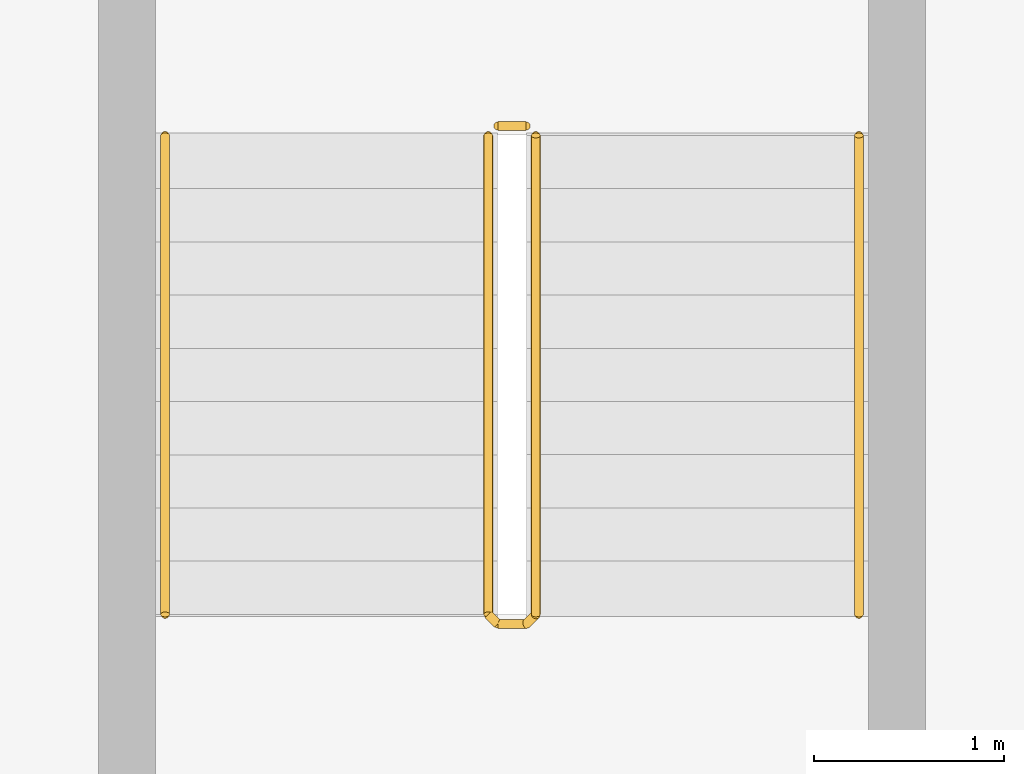
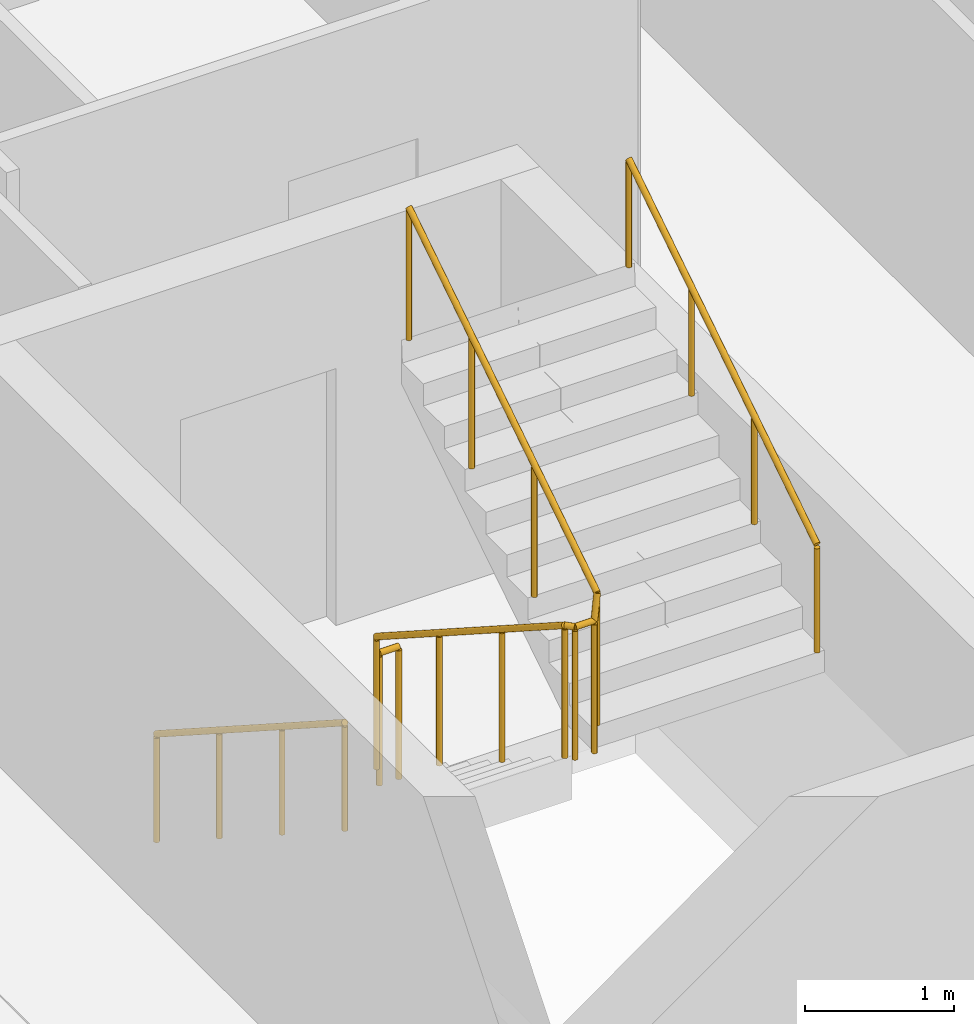
# One storey, part 25 of 27: 4 railings.
"""IFC4 building model written with IfcOpenShell, lengths in metres."""

from ifc_helpers import new_model, si_unit, direction, frame, origin, origin_2d, place, context, subcontext, project, spatial, circle, extrude, material, type_object, element, save


model = new_model("IFC4")

# Units and contexts
model_context = context("Model", 3, precision=1e-05, world=origin(), true_north=direction((0.0, 1.0)))
body_context = subcontext(model_context, "Body", "Model", "MODEL_VIEW")
ifc_project = project(units=[si_unit("LENGTHUNIT", "METRE"), si_unit("AREAUNIT", "SQUARE_METRE"), si_unit("VOLUMEUNIT", "CUBIC_METRE"), si_unit("PLANEANGLEUNIT", "RADIAN"), si_unit("MASSUNIT", "GRAM", prefix="KILO")], contexts=[model_context])

# Site, building, storey
site_placement = place(None, origin())
site = spatial("IfcSite", under=ifc_project, at=site_placement, CompositionType="ELEMENT")
building_placement = place(site_placement, origin())
building = spatial("IfcBuilding", under=site, at=building_placement, Name="Wharfspan Tower", CompositionType="ELEMENT")
storey_placement = place(building_placement, frame((0.0, 0.0, 84.699951)))
storey = spatial("IfcBuildingStorey", under=building, at=storey_placement, Name="L18", CompositionType="ELEMENT", Elevation=84.699951)

# Railings
ifc_material = material(Name="Steel S355J2", Category="steel")
railing_type_1 = type_object("IfcRailingType", Name="Stair guard 1100", PredefinedType="GUARDRAIL", material=ifc_material)
railing_1_placement = place(storey_placement, frame((39.258301, 3.760498, 0.179932)))
element("IfcRailing", 1, at=railing_1_placement, inside=storey, type_object=railing_type_1, Name="L18 ST4 stair guard 1", PredefinedType="GUARDRAIL", context=body_context, shape_type="SweptSolid", body=[
    extrude(circle(Radius=0.023926, at=origin_2d()), frame((0.0, 0.0, 1.076172), z_axis=(0.0, -0.841139, 0.540819), x_axis=(1.0, 0.0, 0.0)), (0.0, 0.0, 1.0), 2.995605),
    extrude(circle(Radius=0.023926, at=origin_2d()), frame((0.0, -2.519775, 2.696289), z_axis=(0.707107, -0.707107, 0.0), x_axis=(0.707107, 0.707107, 0.0)), (0.0, 0.0, 1.0), 0.070801),
    extrude(circle(Radius=0.023926, at=origin_2d()), frame((0.050049, -2.569824, 2.696289), z_axis=(1.0, 0.0, 0.0), x_axis=(0.0, 1.0, 0.0)), (0.0, 0.0, 1.0), 0.149902),
    extrude(circle(Radius=0.023926, at=origin_2d()), frame((0.199951, -2.569824, 2.696289), z_axis=(0.258848, 0.258848, 0.930589), x_axis=(-0.707107, 0.707107, 0.0)), (0.0, 0.0, 1.0), 0.193359),
    extrude(circle(Radius=0.023926, at=origin_2d()), frame((0.25, -2.519775, 2.875977), z_axis=(0.0, 0.841139, 0.540819), x_axis=(-1.0, 0.0, 0.0)), (0.0, 0.0, 1.0), 2.995605),
    extrude(circle(Radius=0.020996, at=origin_2d()), origin(), (0.0, 0.0, 1.0), 1.052002),
    extrude(circle(Radius=0.020996, at=origin_2d()), frame((0.0, -0.839844, 0.540039)), (0.0, 0.0, 1.0), 1.052002),
    extrude(circle(Radius=0.020996, at=origin_2d()), frame((0.0, -1.679932, 1.080078)), (0.0, 0.0, 1.0), 1.052002),
    extrude(circle(Radius=0.020996, at=origin_2d()), frame((0.0, -2.519775, 1.620117)), (0.0, 0.0, 1.0), 1.052002),
    extrude(circle(Radius=0.020996, at=origin_2d()), frame((0.050049, -2.569824, 1.620117)), (0.0, 0.0, 1.0), 1.052002),
    extrude(circle(Radius=0.020996, at=origin_2d()), frame((0.199951, -2.569824, 1.620117)), (0.0, 0.0, 1.0), 1.052002),
    extrude(circle(Radius=0.020996, at=origin_2d()), frame((0.25, -2.519775, 1.800049)), (0.0, 0.0, 1.0), 1.052002),
    extrude(circle(Radius=0.020996, at=origin_2d()), frame((0.25, -1.679932, 2.340088)), (0.0, 0.0, 1.0), 1.052002),
    extrude(circle(Radius=0.020996, at=origin_2d()), frame((0.25, -0.839844, 2.880127)), (0.0, 0.0, 1.0), 1.052002),
    extrude(circle(Radius=0.020996, at=origin_2d()), frame((0.25, 0.0, 3.420166)), (0.0, 0.0, 1.0), 1.052002),
])
railing_2_placement = place(storey_placement, frame((39.30835, 3.810547, 0.0)))
element("IfcRailing", 2, at=railing_2_placement, inside=storey, type_object=railing_type_1, Name="L18 ST4 stair guard 2", PredefinedType="GUARDRAIL", context=body_context, shape_type="SweptSolid", body=[
    extrude(circle(Radius=0.023926, at=origin_2d()), frame((0.0, 0.0, 1.076172), z_axis=(1.0, 0.0, 0.0), x_axis=(0.0, 1.0, 0.0)), (0.0, 0.0, 1.0), 0.149902),
    extrude(circle(Radius=0.020996, at=origin_2d()), origin(), (0.0, 0.0, 1.0), 1.052002),
    extrude(circle(Radius=0.020996, at=origin_2d()), frame((0.149902, 0.0, 0.0)), (0.0, 0.0, 1.0), 1.052002),
])
railing_type_2 = type_object("IfcRailingType", Name="Stair handrail 900", PredefinedType="HANDRAIL", material=ifc_material)
railing_3_placement = place(storey_placement, frame((37.55835, 3.760498, 0.179932)))
element("IfcRailing", 3, at=railing_3_placement, inside=storey, type_object=railing_type_2, Name="L18 ST4 stair handrail 1", PredefinedType="HANDRAIL", context=body_context, shape_type="SweptSolid", body=[
    extrude(circle(Radius=0.023926, at=origin_2d()), frame((0.0, 0.0, 0.875977), z_axis=(0.0, -0.841139, 0.540819), x_axis=(1.0, 0.0, 0.0)), (0.0, 0.0, 1.0), 2.995605),
    extrude(circle(Radius=0.020996, at=origin_2d()), origin(), (0.0, 0.0, 1.0), 0.851807),
    extrude(circle(Radius=0.020996, at=origin_2d()), frame((0.0, -0.839844, 0.540039)), (0.0, 0.0, 1.0), 0.851807),
    extrude(circle(Radius=0.020996, at=origin_2d()), frame((0.0, -1.679932, 1.080078)), (0.0, 0.0, 1.0), 0.851807),
    extrude(circle(Radius=0.020996, at=origin_2d()), frame((0.0, -2.519775, 1.620117)), (0.0, 0.0, 1.0), 0.851807),
])
railing_4_placement = place(storey_placement, frame((41.208252, 1.240723, 1.97998)))
element("IfcRailing", 4, at=railing_4_placement, inside=storey, type_object=railing_type_2, Name="L18 ST4 stair handrail 2", PredefinedType="HANDRAIL", context=body_context, shape_type="SweptSolid", body=[
    extrude(circle(Radius=0.023926, at=origin_2d()), frame((0.0, 0.0, 0.875977), z_axis=(0.0, 0.841139, 0.540819), x_axis=(-1.0, 0.0, 0.0)), (0.0, 0.0, 1.0), 2.995605),
    extrude(circle(Radius=0.020996, at=origin_2d()), origin(), (0.0, 0.0, 1.0), 0.851807),
    extrude(circle(Radius=0.020996, at=origin_2d()), frame((0.0, 0.839844, 0.540039)), (0.0, 0.0, 1.0), 0.851807),
    extrude(circle(Radius=0.020996, at=origin_2d()), frame((0.0, 1.679932, 1.080078)), (0.0, 0.0, 1.0), 0.851807),
    extrude(circle(Radius=0.020996, at=origin_2d()), frame((0.0, 2.519775, 1.620117)), (0.0, 0.0, 1.0), 0.851807),
])

save(model, "model.ifc")
